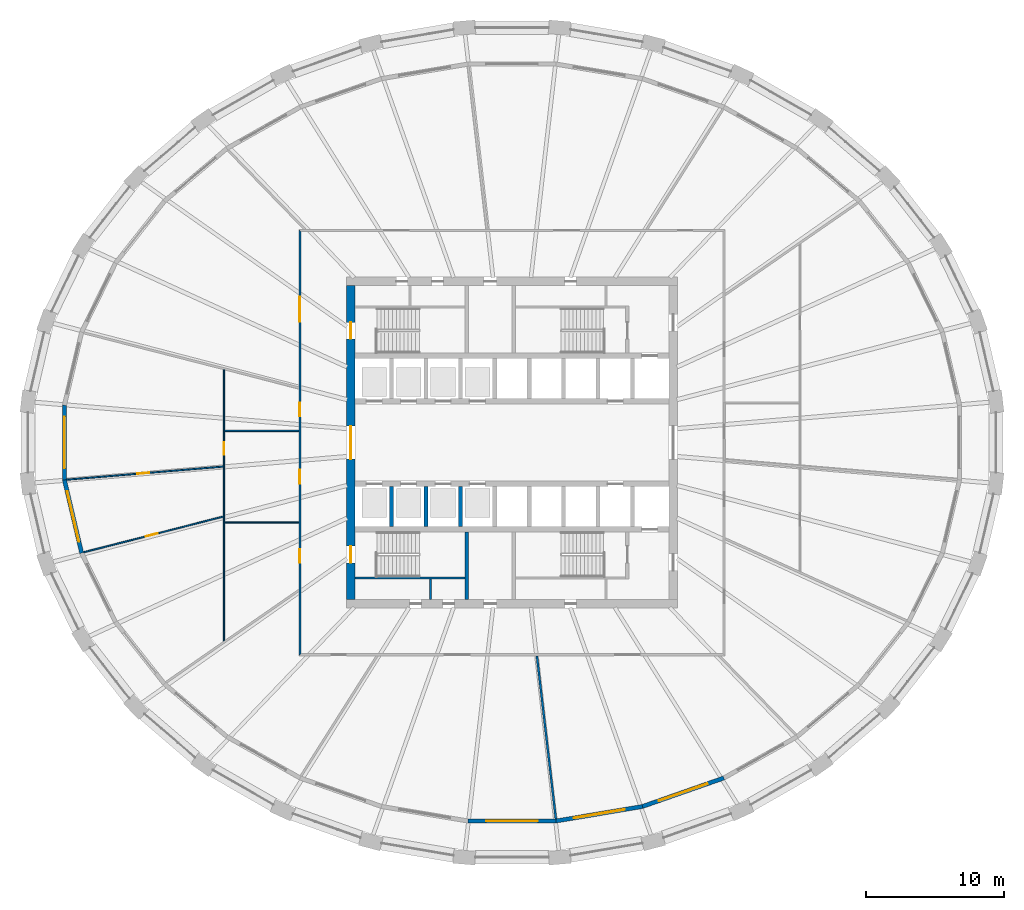
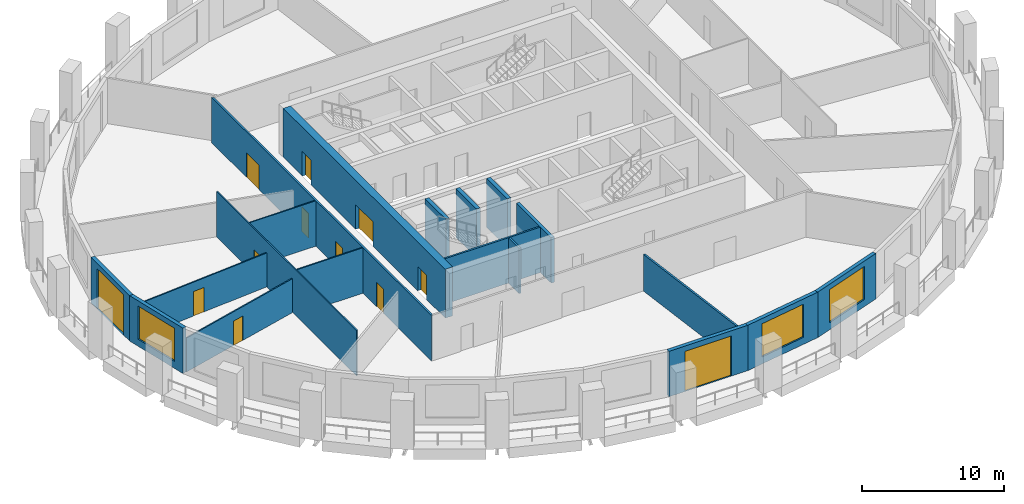
# One storey, part 3 of 10: 19 walls, 12 doors, 3 windows, 15 openings.
"""IFC4 building model written with IfcOpenShell, lengths in metres."""

from ifc_helpers import new_model, si_unit, direction, frame, frame_2d, origin, place, context, subcontext, project, spatial, polyline, rectangle, outline, extrude, material, layer, layer_set, type_object, element, fill, save


model = new_model("IFC4")

# Units and contexts
model_context = context("Model", 3, precision=1e-05, world=origin(), true_north=direction((0.0, 1.0)))
body_context = subcontext(model_context, "Body", "Model", "MODEL_VIEW")
ifc_project = project(units=[si_unit("LENGTHUNIT", "METRE"), si_unit("AREAUNIT", "SQUARE_METRE"), si_unit("VOLUMEUNIT", "CUBIC_METRE"), si_unit("PLANEANGLEUNIT", "RADIAN"), si_unit("MASSUNIT", "GRAM", prefix="KILO")], contexts=[model_context])

# Site, building, storey
site_placement = place(None, origin())
site = spatial("IfcSite", under=ifc_project, at=site_placement, CompositionType="ELEMENT")
building_placement = place(site_placement, origin())
building = spatial("IfcBuilding", under=site, at=building_placement, Name="Halqa Exchange Tower", CompositionType="ELEMENT")
storey_placement = place(building_placement, frame((0.0, 0.0, 104.5)))
storey = spatial("IfcBuildingStorey", under=building, at=storey_placement, Name="L23", CompositionType="ELEMENT", Elevation=104.5)

# Wall, openings, doors
ifc_material_1 = material(Name="Fire-rated gypsum board")
ifc_layer_1 = layer(ifc_material_1, 0.14990234375)
ifc_layer_set_1 = layer_set([ifc_layer_1], Name="Fire-rated gypsum board")
wall_type_1 = type_object("IfcWallType", Name="Fire partition EI 60 150", PredefinedType="PARTITIONING", material=ifc_layer_set_1)
wall_1_placement = place(storey_placement, frame((-15.39990234375, -15.47509765625, 0.0), z_axis=(0.0, 0.0, 1.0), x_axis=(0.0, 1.0, 0.0)))
wall_1 = element("IfcWall", 1, at=wall_1_placement, inside=storey, type_object=wall_type_1, Name="L23-PWL-008", PredefinedType="PARTITIONING", context=body_context, shape_type="SweptSolid", body=[
    extrude(outline(polyline([(0.150146484375, -0.074951171875), (2.065673828125, -0.074951171875), (3.9814453125, -0.074951171875), (5.89697265625, -0.074951171875), (7.8125, -0.074951171875), (9.728271484375, -0.074951171875), (11.643798828125, -0.074951171875), (13.5595703125, -0.074951171875), (15.47509765625, -0.074951171875), (17.390625, -0.074951171875), (19.306396484375, -0.074951171875), (21.221923828125, -0.074951171875), (23.1376953125, -0.074951171875), (25.05322265625, -0.074951171875), (26.96875, -0.074951171875), (28.884521484375, -0.074951171875), (30.800048828125, -0.074951171875), (30.949951171875, 0.074951171875), (29.015625, 0.074951171875), (27.081298828125, 0.074951171875), (25.14697265625, 0.074951171875), (23.21240234375, 0.074951171875), (21.278076171875, 0.074951171875), (19.34375, 0.074951171875), (17.409423828125, 0.074951171875), (15.47509765625, 0.074951171875), (13.540771484375, 0.074951171875), (11.6064453125, 0.074951171875), (9.672119140625, 0.074951171875), (7.73779296875, 0.074951171875), (5.80322265625, 0.074951171875), (3.868896484375, 0.074951171875), (1.9345703125, 0.074951171875), (0.000244140625, 0.074951171875), (0.150146484375, -0.074951171875)])), origin(), (0.0, 0.0, 1.0), 3.89990234375),
])
opening_1_placement = place(wall_1_placement, frame((24.25, 0.0, 0.0)))
opening_1 = element("IfcOpeningElement", 2, at=opening_1_placement, cuts=wall_1, Name="Opening 07-04", PredefinedType="OPENING", context=body_context, shape_type="SweptSolid", body=[
    extrude(rectangle(XDim=1.800048828125, YDim=2.10009765625, at=frame_2d((0.89990234375, 1.050048828125))), frame((0.0, 0.0869140625, 0.0), z_axis=(0.0, -1.0, 0.0), x_axis=(1.0, 0.0, 0.0)), (0.0, 0.0, 1.0), 0.173828125),
])
opening_2_placement = place(wall_1_placement, frame((6.735107421875, 0.0, 0.0)))
opening_2 = element("IfcOpeningElement", 3, at=opening_2_placement, cuts=wall_1, Name="Opening 07-05", PredefinedType="OPENING", context=body_context, shape_type="SweptSolid", body=[
    extrude(rectangle(XDim=1.0, YDim=2.10009765625, at=frame_2d((0.5, 1.050048828125))), frame((0.0, 0.0869140625, 0.0), z_axis=(0.0, -1.0, 0.0), x_axis=(1.0, 0.0, 0.0)), (0.0, 0.0, 1.0), 0.173828125),
])
opening_3_placement = place(wall_1_placement, frame((12.5, 0.0, 0.0)))
opening_3 = element("IfcOpeningElement", 4, at=opening_3_placement, cuts=wall_1, Name="Opening 07-06", PredefinedType="OPENING", context=body_context, shape_type="SweptSolid", body=[
    extrude(rectangle(XDim=1.0, YDim=2.10009765625, at=frame_2d((0.5, 1.050048828125))), frame((0.0, 0.0869140625, 0.0), z_axis=(0.0, -1.0, 0.0), x_axis=(1.0, 0.0, 0.0)), (0.0, 0.0, 1.0), 0.173828125),
])
opening_4_placement = place(wall_1_placement, frame((17.375, 0.0, 0.0)))
opening_4 = element("IfcOpeningElement", 5, at=opening_4_placement, cuts=wall_1, Name="Opening 07-07", PredefinedType="OPENING", context=body_context, shape_type="SweptSolid", body=[
    extrude(rectangle(XDim=1.0, YDim=2.10009765625, at=frame_2d((0.5, 1.050048828125))), frame((0.0, 0.0869140625, 0.0), z_axis=(0.0, -1.0, 0.0), x_axis=(1.0, 0.0, 0.0)), (0.0, 0.0, 1.0), 0.173828125),
])
ifc_material_2 = material(Name="Steel fire door leaf", Category="steel")
door_type_1 = type_object("IfcDoorType", Name="Fire door FD30S 1000 x 2100", OperationType="SINGLE_SWING_LEFT", PredefinedType="DOOR", material=ifc_material_2)
door_1_placement = place(opening_2_placement, origin())
door_1 = element("IfcDoor", 6, at=door_1_placement, inside=storey, type_object=door_type_1, Name="L23-IDR-005", OperationType="SINGLE_SWING_RIGHT", OverallHeight=2.10009765625, OverallWidth=1.0, PredefinedType="DOOR", context=body_context, shape_type="SweptSolid", body=[
    extrude(rectangle(XDim=1.0, YDim=2.10009765625, at=frame_2d((0.5, 1.050048828125))), frame((0.0, 0.02490234375, 0.0), z_axis=(0.0, -1.0, 0.0), x_axis=(1.0, 0.0, 0.0)), (0.0, 0.0, 1.0), 0.050048828125),
])
fill(opening_2, door_1)
door_2_placement = place(opening_3_placement, origin())
door_2 = element("IfcDoor", 7, at=door_2_placement, inside=storey, type_object=door_type_1, Name="L23-IDR-006", OperationType="SINGLE_SWING_RIGHT", OverallHeight=2.10009765625, OverallWidth=1.0, PredefinedType="DOOR", context=body_context, shape_type="SweptSolid", body=[
    extrude(rectangle(XDim=1.0, YDim=2.10009765625, at=frame_2d((0.5, 1.050048828125))), frame((0.0, 0.02490234375, 0.0), z_axis=(0.0, -1.0, 0.0), x_axis=(1.0, 0.0, 0.0)), (0.0, 0.0, 1.0), 0.050048828125),
])
fill(opening_3, door_2)
door_3_placement = place(opening_4_placement, origin())
door_3 = element("IfcDoor", 8, at=door_3_placement, inside=storey, type_object=door_type_1, Name="L23-IDR-007", OperationType="SINGLE_SWING_RIGHT", OverallHeight=2.10009765625, OverallWidth=1.0, PredefinedType="DOOR", context=body_context, shape_type="SweptSolid", body=[
    extrude(rectangle(XDim=1.0, YDim=2.10009765625, at=frame_2d((0.5, 1.050048828125))), frame((0.0, 0.02490234375, 0.0), z_axis=(0.0, -1.0, 0.0), x_axis=(1.0, 0.0, 0.0)), (0.0, 0.0, 1.0), 0.050048828125),
])
fill(opening_4, door_3)
door_type_2 = type_object("IfcDoorType", Name="Fire door FD30S double 1800 x 2100", OperationType="DOUBLE_DOOR_SINGLE_SWING", PredefinedType="DOOR", material=ifc_material_2)
door_4_placement = place(opening_1_placement, origin())
door_4 = element("IfcDoor", 9, at=door_4_placement, inside=storey, type_object=door_type_2, Name="L23-IDR-004", OperationType="DOUBLE_DOOR_SINGLE_SWING", OverallHeight=2.10009765625, OverallWidth=1.800048828125, PredefinedType="DOOR", context=body_context, shape_type="SweptSolid", body=[
    extrude(rectangle(XDim=1.800048828125, YDim=2.10009765625, at=frame_2d((0.89990234375, 1.050048828125))), frame((0.0, 0.02490234375, 0.0), z_axis=(0.0, -1.0, 0.0), x_axis=(1.0, 0.0, 0.0)), (0.0, 0.0, 1.0), 0.050048828125),
])
fill(opening_1, door_4)

# Wall
wall_2_placement = place(storey_placement, frame((1.8076171875, -15.466552734375, 0.0), z_axis=(0.0, 0.0, 1.0), x_axis=(0.115425226741, -0.993316171736, 0.0)))
element("IfcWall", 10, at=wall_2_placement, inside=storey, type_object=wall_type_1, Name="L23-PWL-014", PredefinedType="PARTITIONING", context=body_context, shape_type="SweptSolid", body=[
    extrude(outline(polyline([(0.0, -0.074951171875), (1.98681640625, -0.074951171875), (3.973388671875, -0.074951171875), (5.960205078125, -0.074951171875), (7.947021484375, -0.074951171875), (9.93359375, -0.074951171875), (11.92041015625, -0.074951171875), (11.925048828125, -0.03466796875), (11.925048828125, 0.074951171875), (9.9404296875, 0.074951171875), (7.955810546875, 0.074951171875), (5.97119140625, 0.074951171875), (3.986572265625, 0.074951171875), (2.001953125, 0.074951171875), (0.017333984375, 0.074951171875), (0.0, -0.0732421875), (0.0, -0.074951171875)])), origin(), (0.0, 0.0, 1.0), 3.14697265625),
])

# Wall, opening, door
ifc_material_3 = material(Name="Gypsum board")
ifc_layer_2 = layer(ifc_material_3, 0.10009765625)
ifc_layer_set_2 = layer_set([ifc_layer_2], Name="Gypsum board")
wall_type_2 = type_object("IfcWallType", Name="Partition 100 gypsum", PredefinedType="PARTITIONING", material=ifc_layer_set_2)
wall_3_placement = place(storey_placement, frame((-20.89990234375, -14.43359375, 0.0), z_axis=(0.0, 0.0, 1.0), x_axis=(0.0, 1.0, 0.0)))
wall_3 = element("IfcWall", 11, at=wall_3_placement, inside=storey, type_object=wall_type_2, Name="L23-PWL-003", PredefinedType="PARTITIONING", context=body_context, shape_type="SweptSolid", body=[
    extrude(outline(polyline([(0.0693359375, -0.050048828125), (1.772216796875, -0.050048828125), (3.47509765625, -0.050048828125), (5.177978515625, -0.050048828125), (6.880859375, -0.050048828125), (8.58349609375, -0.050048828125), (8.58349609375, -0.0498046875), (8.68359375, -0.0498046875), (8.68359375, -0.050048828125), (10.321044921875, -0.050048828125), (11.95849609375, -0.050048828125), (13.59619140625, -0.050048828125), (15.233642578125, -0.050048828125), (15.233642578125, -0.0498046875), (15.33349609375, -0.0498046875), (15.33349609375, -0.050048828125), (16.789306640625, -0.050048828125), (18.2451171875, -0.050048828125), (19.701171875, -0.050048828125), (19.7265625, 0.049560546875), (19.7265625, 0.050048828125), (17.941650390625, 0.050048828125), (16.156494140625, 0.050048828125), (14.37158203125, 0.050048828125), (12.586669921875, 0.050048828125), (10.801513671875, 0.050048828125), (9.0166015625, 0.050048828125), (9.009765625, 0.04833984375), (9.00927734375, 0.050048828125), (7.20751953125, 0.050048828125), (5.405517578125, 0.050048828125), (3.603759765625, 0.050048828125), (1.8017578125, 0.050048828125), (0.0, 0.050048828125), (0.0693359375, -0.050048828125)])), origin(), (0.0, 0.0, 1.0), 3.89990234375),
])
opening_5_placement = place(wall_3_placement, frame((13.53857421875, 0.0, 0.0)))
opening_5 = element("IfcOpeningElement", 12, at=opening_5_placement, cuts=wall_3, Name="Opening 07-15", PredefinedType="OPENING", context=body_context, shape_type="SweptSolid", body=[
    extrude(rectangle(XDim=0.89990234375, YDim=2.10009765625, at=frame_2d((0.449951171875, 1.050048828125))), frame((0.0, 0.06201171875, 0.0), z_axis=(0.0, -1.0, 0.0), x_axis=(1.0, 0.0, 0.0)), (0.0, 0.0, 1.0), 0.1240234375),
])
ifc_material_4 = material(Name="Timber door leaf", Category="wood")
door_type_3 = type_object("IfcDoorType", Name="Door 900 x 2100", OperationType="SINGLE_SWING_LEFT", PredefinedType="DOOR", material=ifc_material_4)
door_5_placement = place(opening_5_placement, frame((0.89990234375, 0.0, 0.0), z_axis=(0.0, 0.0, 1.0), x_axis=(-1.0, 0.0, 0.0)))
door_5 = element("IfcDoor", 13, at=door_5_placement, inside=storey, type_object=door_type_3, Name="L23-IDR-015", OperationType="SINGLE_SWING_RIGHT", OverallHeight=2.10009765625, OverallWidth=0.89990234375, PredefinedType="DOOR", context=body_context, shape_type="SweptSolid", body=[
    extrude(rectangle(XDim=0.89990234375, YDim=2.10009765625, at=frame_2d((0.449951171875, 1.050048828125))), frame((0.0, 0.02490234375, 0.0), z_axis=(0.0, -1.0, 0.0), x_axis=(1.0, 0.0, 0.0)), (0.0, 0.0, 1.0), 0.050048828125),
])
fill(opening_5, door_5)

# Wall
wall_4_placement = place(storey_placement, frame((-20.85009765625, -5.800048828125, 0.0), z_axis=(0.0, 0.0, 1.0), x_axis=(1.0, 0.0, 0.0)))
element("IfcWall", 14, at=wall_4_placement, inside=storey, type_object=wall_type_2, Name="L23-PWL-004", PredefinedType="PARTITIONING", context=body_context, shape_type="SweptSolid", body=[
    extrude(rectangle(XDim=5.375, YDim=0.10009765625, at=frame_2d((2.6875, 0.0))), origin(), (0.0, 0.0, 1.0), 3.89990234375),
])

# Wall, opening, door
wall_5_placement = place(storey_placement, frame((-20.937744140625, -5.36962890625, 0.0), z_axis=(0.0, 0.0, 1.0), x_axis=(-0.968822345516, -0.247756458702, 0.0)))
wall_5 = element("IfcWall", 15, at=wall_5_placement, inside=storey, type_object=wall_type_2, Name="L23-PWL-005", PredefinedType="PARTITIONING", context=body_context, shape_type="SweptSolid", body=[
    extrude(outline(polyline([(10.478759765625, -0.050048828125), (10.478759765625, 0.00732421875), (10.469970703125, 0.050048828125), (8.72900390625, 0.050048828125), (6.98828125, 0.050048828125), (5.24755859375, 0.050048828125), (3.5068359375, 0.050048828125), (1.76611328125, 0.050048828125), (0.025390625, 0.050048828125), (0.0, -0.049560546875), (0.0, -0.050048828125), (1.74658203125, -0.050048828125), (3.492919921875, -0.050048828125), (5.2392578125, -0.050048828125), (6.98583984375, -0.050048828125), (8.732421875, -0.050048828125), (10.478759765625, -0.050048828125)])), origin(), (0.0, 0.0, 1.0), 2.909912109375),
])
opening_6_placement = place(wall_5_placement, frame((4.919677734375, 0.0, 0.0)))
opening_6 = element("IfcOpeningElement", 16, at=opening_6_placement, cuts=wall_5, Name="Opening 07-17", PredefinedType="OPENING", context=body_context, shape_type="SweptSolid", body=[
    extrude(rectangle(XDim=0.89990234375, YDim=2.10009765625, at=frame_2d((0.449951171875, 1.050048828125))), frame((0.0, 0.06201171875, 0.0), z_axis=(0.0, -1.0, 0.0), x_axis=(1.0, 0.0, 0.0)), (0.0, 0.0, 1.0), 0.1240234375),
])
door_6_placement = place(opening_6_placement, frame((0.89990234375, 0.0, 0.0), z_axis=(0.0, 0.0, 1.0), x_axis=(-1.0, 0.0, 0.0)))
door_6 = element("IfcDoor", 17, at=door_6_placement, inside=storey, type_object=door_type_3, Name="L23-IDR-017", OperationType="SINGLE_SWING_RIGHT", OverallHeight=2.10009765625, OverallWidth=0.89990234375, PredefinedType="DOOR", context=body_context, shape_type="SweptSolid", body=[
    extrude(rectangle(XDim=0.89990234375, YDim=2.10009765625, at=frame_2d((0.449951171875, 1.050048828125))), frame((0.0, 0.02490234375, 0.0), z_axis=(0.0, -1.0, 0.0), x_axis=(1.0, 0.0, 0.0)), (0.0, 0.0, 1.0), 0.050048828125),
])
fill(opening_6, door_6)

wall_6_placement = place(storey_placement, frame((-20.94580078125, -1.743896484375, 0.0), z_axis=(0.0, 0.0, 1.0), x_axis=(-0.996528638139, -0.083250665871, 0.0)))
wall_6 = element("IfcWall", 18, at=wall_6_placement, inside=storey, type_object=wall_type_2, Name="L23-PWL-006", PredefinedType="PARTITIONING", context=body_context, shape_type="SweptSolid", body=[
    extrude(outline(polyline([(11.42236328125, -0.050048828125), (11.42236328125, 0.0234375), (11.41845703125, 0.050048828125), (9.5166015625, 0.050048828125), (7.614990234375, 0.050048828125), (5.71337890625, 0.050048828125), (3.811767578125, 0.050048828125), (1.91015625, 0.050048828125), (0.00830078125, 0.050048828125), (0.0, -0.050048828125), (1.90380859375, -0.050048828125), (3.807373046875, -0.050048828125), (5.711181640625, -0.050048828125), (7.614990234375, -0.050048828125), (9.5185546875, -0.050048828125), (11.42236328125, -0.050048828125)])), origin(), (0.0, 0.0, 1.0), 2.909912109375),
])
opening_7_placement = place(wall_6_placement, frame((5.389404296875, 0.0, 0.0)))
opening_7 = element("IfcOpeningElement", 19, at=opening_7_placement, cuts=wall_6, Name="Opening 07-16", PredefinedType="OPENING", context=body_context, shape_type="SweptSolid", body=[
    extrude(rectangle(XDim=0.89990234375, YDim=2.10009765625, at=frame_2d((0.449951171875, 1.050048828125))), frame((0.0, 0.06201171875, 0.0), z_axis=(0.0, -1.0, 0.0), x_axis=(1.0, 0.0, 0.0)), (0.0, 0.0, 1.0), 0.1240234375),
])
door_7_placement = place(opening_7_placement, origin())
door_7 = element("IfcDoor", 20, at=door_7_placement, inside=storey, type_object=door_type_3, Name="L23-IDR-016", OperationType="SINGLE_SWING_LEFT", OverallHeight=2.10009765625, OverallWidth=0.89990234375, PredefinedType="DOOR", context=body_context, shape_type="SweptSolid", body=[
    extrude(rectangle(XDim=0.89990234375, YDim=2.10009765625, at=frame_2d((0.449951171875, 1.050048828125))), frame((0.0, 0.02490234375, 0.0), z_axis=(0.0, -1.0, 0.0), x_axis=(1.0, 0.0, 0.0)), (0.0, 0.0, 1.0), 0.050048828125),
])
fill(opening_7, door_7)

# Walls
wall_7_placement = place(storey_placement, frame((-20.85009765625, 0.85009765625, 0.0), z_axis=(0.0, 0.0, 1.0), x_axis=(1.0, 0.0, 0.0)))
element("IfcWall", 21, at=wall_7_placement, inside=storey, type_object=wall_type_2, Name="L23-PWL-007", PredefinedType="PARTITIONING", context=body_context, shape_type="SweptSolid", body=[
    extrude(rectangle(XDim=5.375, YDim=0.10009765625, at=frame_2d((2.6875, 0.0))), origin(), (0.0, 0.0, 1.0), 3.89990234375),
])
ifc_layer_3 = layer(ifc_material_3, 0.14990234375)
ifc_layer_set_3 = layer_set([ifc_layer_3], Name="Gypsum board")
wall_type_3 = type_object("IfcWallType", Name="Penthouse riser wall 150 gypsum", PredefinedType="PARTITIONING", material=ifc_layer_set_3)
wall_8_placement = place(storey_placement, frame((-5.925048828125, -11.39990234375, 0.0), z_axis=(0.0, 0.0, 1.0), x_axis=(0.0, 1.0, 0.0)))
element("IfcWall", 22, at=wall_8_placement, inside=storey, type_object=wall_type_3, Name="Partition W5.925 S", PredefinedType="PARTITIONING", context=body_context, shape_type="SweptSolid", body=[
    extrude(rectangle(XDim=1.5, YDim=0.14990234375, at=frame_2d((0.75, 0.0))), origin(), (0.0, 0.0, 1.0), 3.89990234375),
])
ifc_material_5 = material(Name="Concrete C60/75", Category="concrete")
ifc_layer_4 = layer(ifc_material_5, 0.300048828125)
ifc_layer_set_4 = layer_set([ifc_layer_4], Name="Concrete C60/75")
wall_type_4 = type_object("IfcWallType", Name="RC core wall 300", PredefinedType="SHEAR", material=ifc_layer_set_4)
for number, where, z_axis, x_axis, name in (
    (23, (-8.75, -6.10009765625, 0.0), (0.0, 0.0, 1.0), (0.0, 1.0, 0.0), "Shaft divider S1"),
    (24, (-6.25, -6.10009765625, 0.0), (0.0, 0.0, 1.0), (0.0, 1.0, 0.0), "Shaft divider S2"),
    (25, (-3.75, -6.10009765625, 0.0), (0.0, 0.0, 1.0), (0.0, 1.0, 0.0), "Shaft divider S3"),
):
    element("IfcWall", number, at=place(storey_placement, frame(where, z_axis=z_axis, x_axis=x_axis)), inside=storey, type_object=wall_type_4, Name=name, PredefinedType="SHEAR", context=body_context, shape_type="SweptSolid", body=[
        extrude(rectangle(XDim=2.900146484375, YDim=0.300048828125, at=frame_2d((1.4501953125, 0.0))), origin(), (0.0, 0.0, 1.0), 4.199951171875),
    ])

# Wall, openings, doors
ifc_material_6 = material(Name="Concrete C70/85", Category="concrete")
ifc_layer_5 = layer(ifc_material_6, 0.60009765625)
ifc_layer_set_5 = layer_set([ifc_layer_5], Name="Concrete C70/85")
wall_type_5 = type_object("IfcWallType", Name="RC core wall 600 C70/85", PredefinedType="SHEAR", material=ifc_layer_set_5)
wall_9_placement = place(storey_placement, frame((-11.699951171875, -11.39990234375, 0.0), z_axis=(0.0, 0.0, 1.0), x_axis=(0.0, 1.0, 0.0)))
wall_9 = element("IfcWall", 26, at=wall_9_placement, inside=storey, type_object=wall_type_5, Name="Core wall west", PredefinedType="SHEAR", context=body_context, shape_type="SweptSolid", body=[
    extrude(rectangle(XDim=22.7998046875, YDim=0.60009765625, at=frame_2d((11.39990234375, 0.0))), origin(), (0.0, 0.0, 1.0), 4.199951171875),
])
opening_8_placement = place(wall_9_placement, frame((10.199951171875, 0.0, 0.0)))
opening_8 = element("IfcOpeningElement", 27, at=opening_8_placement, cuts=wall_9, Name="Opening T07-C13", PredefinedType="OPENING", context=body_context, shape_type="SweptSolid", body=[
    extrude(rectangle(XDim=2.39990234375, YDim=2.10009765625, at=frame_2d((1.199951171875, 1.050048828125))), frame((0.0, 0.31201171875, 0.0), z_axis=(0.0, -1.0, 0.0), x_axis=(1.0, 0.0, 0.0)), (0.0, 0.0, 1.0), 0.6240234375),
])
opening_9_placement = place(wall_9_placement, frame((18.925048828125, 0.0, 0.0)))
opening_9 = element("IfcOpeningElement", 28, at=opening_9_placement, cuts=wall_9, Name="Opening T07-C15", PredefinedType="OPENING", context=body_context, shape_type="SweptSolid", body=[
    extrude(rectangle(XDim=1.199951171875, YDim=2.10009765625, at=frame_2d((0.60009765625, 1.050048828125))), frame((0.0, 0.31201171875, 0.0), z_axis=(0.0, -1.0, 0.0), x_axis=(1.0, 0.0, 0.0)), (0.0, 0.0, 1.0), 0.6240234375),
])
opening_10_placement = place(wall_9_placement, frame((2.675048828125, 0.0, 0.0)))
opening_10 = element("IfcOpeningElement", 29, at=opening_10_placement, cuts=wall_9, Name="Opening T07-C17", PredefinedType="OPENING", context=body_context, shape_type="SweptSolid", body=[
    extrude(rectangle(XDim=1.199951171875, YDim=2.10009765625, at=frame_2d((0.60009765625, 1.050048828125))), frame((0.0, 0.31201171875, 0.0), z_axis=(0.0, -1.0, 0.0), x_axis=(1.0, 0.0, 0.0)), (0.0, 0.0, 1.0), 0.6240234375),
])
door_type_4 = type_object("IfcDoorType", Name="Lobby double door FD60 2400 x 2100", OperationType="DOUBLE_DOOR_SINGLE_SWING", PredefinedType="DOOR", material=ifc_material_2)
door_8_placement = place(opening_8_placement, frame((2.39990234375, 0.0, 0.0), z_axis=(0.0, 0.0, 1.0), x_axis=(-1.0, 0.0, 0.0)))
door_8 = element("IfcDoor", 30, at=door_8_placement, inside=storey, type_object=door_type_4, Name="Lift lobby double door", OperationType="DOUBLE_DOOR_SINGLE_SWING", OverallHeight=2.10009765625, OverallWidth=2.39990234375, PredefinedType="DOOR", context=body_context, shape_type="SweptSolid", body=[
    extrude(rectangle(XDim=2.39990234375, YDim=2.10009765625, at=frame_2d((1.199951171875, 1.050048828125))), frame((0.0, 0.02490234375, 0.0), z_axis=(0.0, -1.0, 0.0), x_axis=(1.0, 0.0, 0.0)), (0.0, 0.0, 1.0), 0.050048828125),
])
fill(opening_8, door_8)
door_type_5 = type_object("IfcDoorType", Name="Stair door FD90 1200 x 2100", OperationType="SINGLE_SWING_LEFT", PredefinedType="DOOR", material=ifc_material_2)
door_9_placement = place(opening_9_placement, frame((1.199951171875, 0.0, 0.0), z_axis=(0.0, 0.0, 1.0), x_axis=(-1.0, 0.0, 0.0)))
door_9 = element("IfcDoor", 31, at=door_9_placement, inside=storey, type_object=door_type_5, Name="Stair door ST1", OperationType="SINGLE_SWING_LEFT", OverallHeight=2.10009765625, OverallWidth=1.199951171875, PredefinedType="DOOR", context=body_context, shape_type="SweptSolid", body=[
    extrude(rectangle(XDim=1.199951171875, YDim=2.10009765625, at=frame_2d((0.60009765625, 1.050048828125))), frame((0.0, 0.02490234375, 0.0), z_axis=(0.0, -1.0, 0.0), x_axis=(1.0, 0.0, 0.0)), (0.0, 0.0, 1.0), 0.050048828125),
])
fill(opening_9, door_9)
door_10_placement = place(opening_10_placement, frame((1.199951171875, 0.0, 0.0), z_axis=(0.0, 0.0, 1.0), x_axis=(-1.0, 0.0, 0.0)))
door_10 = element("IfcDoor", 32, at=door_10_placement, inside=storey, type_object=door_type_5, Name="Stair door ST3", OperationType="SINGLE_SWING_LEFT", OverallHeight=2.10009765625, OverallWidth=1.199951171875, PredefinedType="DOOR", context=body_context, shape_type="SweptSolid", body=[
    extrude(rectangle(XDim=1.199951171875, YDim=2.10009765625, at=frame_2d((0.60009765625, 1.050048828125))), frame((0.0, 0.02490234375, 0.0), z_axis=(0.0, -1.0, 0.0), x_axis=(1.0, 0.0, 0.0)), (0.0, 0.0, 1.0), 0.050048828125),
])
fill(opening_10, door_10)

# Walls
ifc_material_7 = material(Name="Concrete C30/37", Category="concrete")
ifc_layer_6 = layer(ifc_material_7, 0.14990234375)
ifc_layer_set_6 = layer_set([ifc_layer_6], Name="Concrete C30/37")
wall_type_6 = type_object("IfcWallType", Name="RC stair wall 150 C30/37", PredefinedType="SHEAR", material=ifc_layer_set_6)
wall_10_placement = place(storey_placement, frame((-11.39990234375, -9.824951171875, 0.0), z_axis=(0.0, 0.0, 1.0), x_axis=(1.0, 0.0, 0.0)))
element("IfcWall", 33, at=wall_10_placement, inside=storey, type_object=wall_type_6, Name="Stair ST1 north wall S", PredefinedType="SHEAR", context=body_context, shape_type="SweptSolid", body=[
    extrude(rectangle(XDim=8.0, YDim=0.14990234375, at=frame_2d((4.0, 0.0))), origin(), (0.0, 0.0, 1.0), 3.89990234375),
])
ifc_layer_7 = layer(ifc_material_7, 0.25)
ifc_layer_set_7 = layer_set([ifc_layer_7], Name="Concrete C30/37")
wall_type_7 = type_object("IfcWallType", Name="RC stair wall 250 C30/37", PredefinedType="SHEAR", material=ifc_layer_set_7)
wall_11_placement = place(storey_placement, frame((-3.27490234375, -11.39990234375, 0.0), z_axis=(0.0, 0.0, 1.0), x_axis=(0.0, 1.0, 0.0)))
element("IfcWall", 34, at=wall_11_placement, inside=storey, type_object=wall_type_7, Name="Stair ST1 east wall S", PredefinedType="SHEAR", context=body_context, shape_type="SweptSolid", body=[
    extrude(rectangle(XDim=4.89990234375, YDim=0.25, at=frame_2d((2.449951171875, 0.0))), origin(), (0.0, 0.0, 1.0), 3.89990234375),
])

# Wall, opening, door
ifc_material_8 = material(Name="Limestone cladding", Category="masonry")
ifc_layer_8 = layer(ifc_material_8, 0.0400390625)
ifc_material_9 = material(Name="Ventilated cavity")
ifc_layer_9 = layer(ifc_material_9, 0.030029296875, ventilated=True)
ifc_material_10 = material(Name="Mineral wool insulation")
ifc_layer_10 = layer(ifc_material_10, 0.10009765625)
ifc_layer_11 = layer(ifc_material_7, 0.10009765625)
ifc_material_11 = material(Name="Internal plaster")
ifc_layer_12 = layer(ifc_material_11, 0.030029296875)
ifc_layer_set_8 = layer_set([ifc_layer_8, ifc_layer_9, ifc_layer_10, ifc_layer_11, ifc_layer_12], Name="Stone-faced insulated wall 300")
wall_type_8 = type_object("IfcWallType", Name="Stone-faced insulated wall 300", PredefinedType="STANDARD", material=ifc_layer_set_8)
wall_12_placement = place(storey_placement, frame((-32.483154296875, 2.707763671875, 0.0), z_axis=(0.0, 0.0, 1.0), x_axis=(0.0, -1.0, 0.0)))
wall_12 = element("IfcWall", 35, at=wall_12_placement, inside=storey, type_object=wall_type_8, Name="Glass-line wall 16", PredefinedType="STANDARD", context=body_context, shape_type="SweptSolid", body=[
    extrude(outline(polyline([(-0.017333984375, -0.14990234375), (5.432861328125, -0.14990234375), (5.398193359375, 0.14990234375), (0.017333984375, 0.14990234375), (-0.017333984375, -0.14990234375)])), origin(), (0.0, 0.0, 1.0), 3.89990234375),
])
opening_11_placement = place(wall_12_placement, frame((0.832763671875, 0.0, 0.0)))
opening_11 = element("IfcOpeningElement", 36, at=opening_11_placement, cuts=wall_12, Name="Opening LG-F2-04", PredefinedType="OPENING", context=body_context, shape_type="SweptSolid", body=[
    extrude(rectangle(XDim=3.75, YDim=3.449951171875, at=frame_2d((1.875, 1.72509765625))), frame((0.0, 0.162109375, 0.0), z_axis=(0.0, -1.0, 0.0), x_axis=(1.0, 0.0, 0.0)), (0.0, 0.0, 1.0), 0.323974609375),
])
ifc_material_12 = material(Name="Clear low-emissivity glass in aluminium frame", Category="aluminium")
door_type_6 = type_object("IfcDoorType", Name="Glazed sliding loggia door 3750 x 3450", OperationType="DOUBLE_DOOR_SLIDING", PredefinedType="DOOR", material=ifc_material_12)
door_11_placement = place(opening_11_placement, origin())
door_11 = element("IfcDoor", 37, at=door_11_placement, inside=storey, type_object=door_type_6, Name="Loggia door 4", OperationType="DOUBLE_DOOR_SLIDING", OverallHeight=3.449951171875, OverallWidth=3.75, PredefinedType="DOOR", context=body_context, shape_type="SweptSolid", body=[
    extrude(rectangle(XDim=3.75, YDim=3.449951171875, at=frame_2d((1.875, 1.72509765625))), frame((0.0, 0.02490234375, 0.0), z_axis=(0.0, -1.0, 0.0), x_axis=(1.0, 0.0, 0.0)), (0.0, 0.0, 1.0), 0.050048828125),
])
fill(opening_11, door_11)

# Wall, opening, window
wall_13_placement = place(storey_placement, frame((-32.483154296875, -2.707763671875, 0.0), z_axis=(0.0, 0.0, 1.0), x_axis=(0.229193964616, -0.973380771632, 0.0)))
wall_13 = element("IfcWall", 38, at=wall_13_placement, inside=storey, type_object=wall_type_8, Name="Glass-line wall 17", PredefinedType="STANDARD", context=body_context, shape_type="SweptSolid", body=[
    extrude(outline(polyline([(-0.017333984375, -0.14990234375), (5.472900390625, -0.14990234375), (5.439208984375, 0.14990234375), (0.017333984375, 0.14990234375), (-0.017333984375, -0.14990234375)])), origin(), (0.0, 0.0, 1.0), 3.89990234375),
])
opening_12_placement = place(wall_13_placement, frame((0.85302734375, 0.0, 0.60009765625)))
opening_12 = element("IfcOpeningElement", 39, at=opening_12_placement, cuts=wall_13, Name="Opening W-F2-17", PredefinedType="OPENING", context=body_context, shape_type="SweptSolid", body=[
    extrude(rectangle(XDim=3.75, YDim=2.85009765625, at=frame_2d((1.875, 1.425048828125))), frame((0.0, 0.162109375, 0.0), z_axis=(0.0, -1.0, 0.0), x_axis=(1.0, 0.0, 0.0)), (0.0, 0.0, 1.0), 0.323974609375),
])
window_type = type_object("IfcWindowType", Name="Fixed clear glazed window 3750 x 2850", PartitioningType="TRIPLE_PANEL_VERTICAL", PredefinedType="WINDOW", material=ifc_material_12)
window_1_placement = place(opening_12_placement, origin())
window_1 = element("IfcWindow", 40, at=window_1_placement, inside=storey, type_object=window_type, Name="Window 2", OverallHeight=2.85009765625, OverallWidth=3.75, PartitioningType="TRIPLE_PANEL_VERTICAL", PredefinedType="WINDOW", context=body_context, shape_type="SweptSolid", body=[
    extrude(rectangle(XDim=3.75, YDim=2.85009765625, at=frame_2d((1.875, 1.425048828125))), frame((0.0, 0.030029296875, 0.0), z_axis=(0.0, -1.0, 0.0), x_axis=(1.0, 0.0, 0.0)), (0.0, 0.0, 1.0), 0.06005859375),
])
fill(opening_12, window_1)

# Wall, opening, door
wall_14_placement = place(storey_placement, frame((-3.197021484375, -27.4658203125, 0.0), z_axis=(0.0, 0.0, 1.0), x_axis=(1.0, 0.0, 0.0)))
wall_14 = element("IfcWall", 41, at=wall_14_placement, inside=storey, type_object=wall_type_8, Name="Glass-line wall 24", PredefinedType="STANDARD", context=body_context, shape_type="SweptSolid", body=[
    extrude(outline(polyline([(-0.012451171875, -0.14990234375), (6.406494140625, -0.14990234375), (6.381591796875, 0.14990234375), (0.012451171875, 0.14990234375), (-0.012451171875, -0.14990234375)])), origin(), (0.0, 0.0, 1.0), 3.89990234375),
])
opening_13_placement = place(wall_14_placement, frame((1.322021484375, 0.0, 0.0)))
opening_13 = element("IfcOpeningElement", 42, at=opening_13_placement, cuts=wall_14, Name="Opening LG-F2-06", PredefinedType="OPENING", context=body_context, shape_type="SweptSolid", body=[
    extrude(rectangle(XDim=3.75, YDim=3.449951171875, at=frame_2d((1.875, 1.72509765625))), frame((0.0, 0.162109375, 0.0), z_axis=(0.0, -1.0, 0.0), x_axis=(1.0, 0.0, 0.0)), (0.0, 0.0, 1.0), 0.323974609375),
])
door_12_placement = place(opening_13_placement, origin())
door_12 = element("IfcDoor", 43, at=door_12_placement, inside=storey, type_object=door_type_6, Name="Loggia door 6", OperationType="DOUBLE_DOOR_SLIDING", OverallHeight=3.449951171875, OverallWidth=3.75, PredefinedType="DOOR", context=body_context, shape_type="SweptSolid", body=[
    extrude(rectangle(XDim=3.75, YDim=3.449951171875, at=frame_2d((1.875, 1.72509765625))), frame((0.0, 0.02490234375, 0.0), z_axis=(0.0, -1.0, 0.0), x_axis=(1.0, 0.0, 0.0)), (0.0, 0.0, 1.0), 0.050048828125),
])
fill(opening_13, door_12)

# Wall, opening, window
wall_15_placement = place(storey_placement, frame((3.197021484375, -27.4658203125, 0.0), z_axis=(0.0, 0.0, 1.0), x_axis=(0.986178310488, 0.165687476666, 0.0)))
wall_15 = element("IfcWall", 44, at=wall_15_placement, inside=storey, type_object=wall_type_8, Name="Glass-line wall 25", PredefinedType="STANDARD", context=body_context, shape_type="SweptSolid", body=[
    extrude(outline(polyline([(-0.012451171875, -0.14990234375), (6.372314453125, -0.14990234375), (6.346923828125, 0.14990234375), (0.012451171875, 0.14990234375), (-0.012451171875, -0.14990234375)])), origin(), (0.0, 0.0, 1.0), 3.89990234375),
])
opening_14_placement = place(wall_15_placement, frame((1.3046875, 0.0, 0.60009765625)))
opening_14 = element("IfcOpeningElement", 45, at=opening_14_placement, cuts=wall_15, Name="Opening W-F2-25", PredefinedType="OPENING", context=body_context, shape_type="SweptSolid", body=[
    extrude(rectangle(XDim=3.75, YDim=2.85009765625, at=frame_2d((1.875, 1.425048828125))), frame((0.0, 0.162109375, 0.0), z_axis=(0.0, -1.0, 0.0), x_axis=(1.0, 0.0, 0.0)), (0.0, 0.0, 1.0), 0.323974609375),
])
window_2_placement = place(opening_14_placement, origin())
window_2 = element("IfcWindow", 46, at=window_2_placement, inside=storey, type_object=window_type, Name="Window 2", OverallHeight=2.85009765625, OverallWidth=3.75, PartitioningType="TRIPLE_PANEL_VERTICAL", PredefinedType="WINDOW", context=body_context, shape_type="SweptSolid", body=[
    extrude(rectangle(XDim=3.75, YDim=2.85009765625, at=frame_2d((1.875, 1.425048828125))), frame((0.0, 0.030029296875, 0.0), z_axis=(0.0, -1.0, 0.0), x_axis=(1.0, 0.0, 0.0)), (0.0, 0.0, 1.0), 0.06005859375),
])
fill(opening_14, window_2)

wall_16_placement = place(storey_placement, frame((9.46875, -26.412109375, 0.0), z_axis=(0.0, 0.0, 1.0), x_axis=(0.943866868202, 0.330326104193, 0.0)))
wall_16 = element("IfcWall", 47, at=wall_16_placement, inside=storey, type_object=wall_type_8, Name="Glass-line wall 26", PredefinedType="STANDARD", context=body_context, shape_type="SweptSolid", body=[
    extrude(outline(polyline([(-0.0126953125, -0.14990234375), (6.2734375, -0.14990234375), (6.24658203125, 0.14990234375), (0.0126953125, 0.14990234375), (-0.0126953125, -0.14990234375)])), origin(), (0.0, 0.0, 1.0), 3.89990234375),
])
opening_15_placement = place(wall_16_placement, frame((1.255126953125, 0.0, 0.60009765625)))
opening_15 = element("IfcOpeningElement", 48, at=opening_15_placement, cuts=wall_16, Name="Opening W-F2-26", PredefinedType="OPENING", context=body_context, shape_type="SweptSolid", body=[
    extrude(rectangle(XDim=3.75, YDim=2.85009765625, at=frame_2d((1.875, 1.425048828125))), frame((0.0, 0.162109375, 0.0), z_axis=(0.0, -1.0, 0.0), x_axis=(1.0, 0.0, 0.0)), (0.0, 0.0, 1.0), 0.323974609375),
])
window_3_placement = place(opening_15_placement, origin())
window_3 = element("IfcWindow", 49, at=window_3_placement, inside=storey, type_object=window_type, Name="Window 2", OverallHeight=2.85009765625, OverallWidth=3.75, PartitioningType="TRIPLE_PANEL_VERTICAL", PredefinedType="WINDOW", context=body_context, shape_type="SweptSolid", body=[
    extrude(rectangle(XDim=3.75, YDim=2.85009765625, at=frame_2d((1.875, 1.425048828125))), frame((0.0, 0.030029296875, 0.0), z_axis=(0.0, -1.0, 0.0), x_axis=(1.0, 0.0, 0.0)), (0.0, 0.0, 1.0), 0.06005859375),
])
fill(opening_15, window_3)

save(model, "model.ifc")
